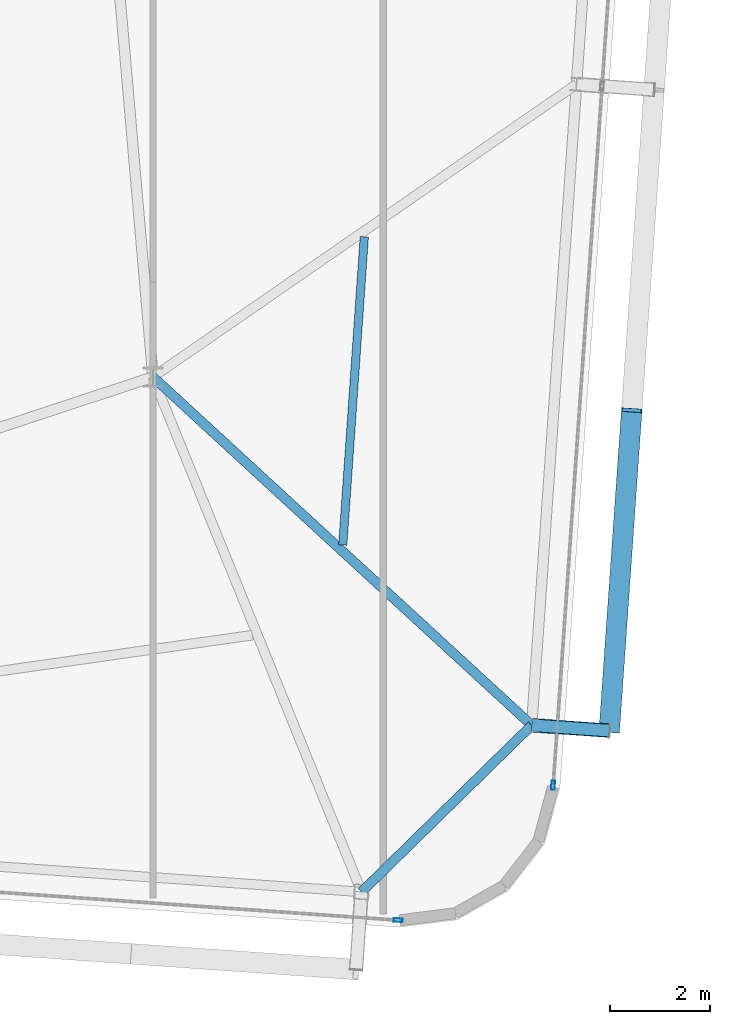
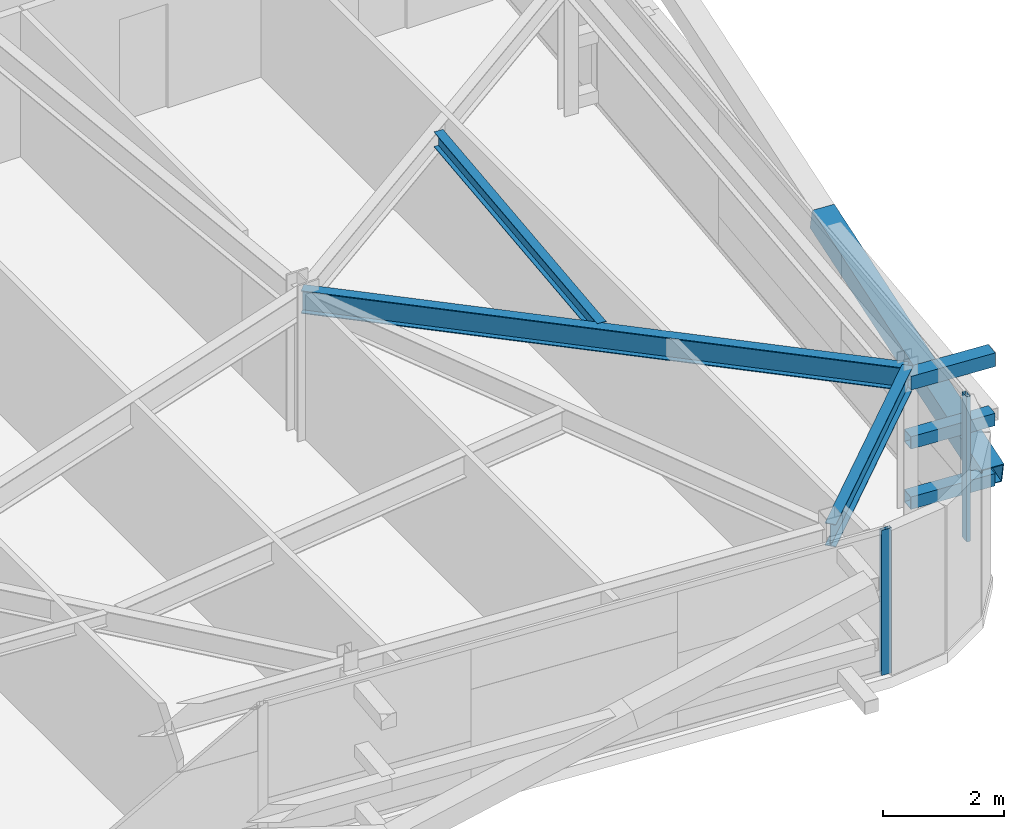
# One storey, part 15 of 39: 6 members, 3 beams, 2 elements without a shape of their own.
"""IFC4 building model written with IfcOpenShell, lengths in metres."""

from ifc_helpers import new_model, si_unit, direction, frame, origin, origin_2d, place, context, subcontext, project, spatial, hollow_rectangle, i_section, extrude, source, transform, mapped, material, layer, layer_set, material_profile, profile_set, type_object, element, aggregate, save


model = new_model("IFC4")

# Units and contexts
model_context = context("Model", 3, precision=1e-05, world=origin(), true_north=direction((0.0, 1.0)))
body_context = subcontext(model_context, "Body", "Model", "MODEL_VIEW")
ifc_project = project(units=[si_unit("LENGTHUNIT", "METRE"), si_unit("AREAUNIT", "SQUARE_METRE"), si_unit("VOLUMEUNIT", "CUBIC_METRE"), si_unit("PLANEANGLEUNIT", "RADIAN"), si_unit("MASSUNIT", "GRAM", prefix="KILO")], contexts=[model_context])

# Site, building, storey
site_placement = place(None, origin())
site = spatial("IfcSite", under=ifc_project, at=site_placement, CompositionType="ELEMENT")
building_placement = place(site_placement, origin())
building = spatial("IfcBuilding", under=site, at=building_placement, Name="Taldren Reach Tower", CompositionType="ELEMENT")
storey_placement = place(building_placement, frame((0.0, 0.0, 158.199951171875)))
storey = spatial("IfcBuildingStorey", under=building, at=storey_placement, Name="L48", CompositionType="ELEMENT", Elevation=158.199951171875)

# Members
ifc_material_1 = material(Name="Steel Gr 450 (C450L0)", Category="steel")
ifc_material_profile_1 = material_profile(ifc_material_1, hollow_rectangle(XDim=0.27490234375, YDim=0.27490234375, WallThickness=0.00927734375, at=origin_2d()), Name="275x275x9.3SHS")
ifc_profile_set_1 = profile_set([ifc_material_profile_1], Name="Steel Gr 450 (C450L0)")
member_type_1 = type_object("IfcMemberType", Name="MB-TIE273", PredefinedType="STRUT", material=ifc_profile_set_1)
shared_shape_1 = source(origin(), body_context, "Body", "SweptSolid", [
    extrude(hollow_rectangle(XDim=0.27490234375, YDim=0.27490234375, WallThickness=0.00927734375, at=origin_2d()), origin(), (0.0, 0.0, 1.0), 1.5498046875),
])
member_1_placement = place(storey_placement, frame((59.54541015625, 5.562744140625, 2.650146484375), z_axis=(0.997573320145, -0.069623781384, 0.0), x_axis=(0.069623781384, 0.997573320145, 0.0)))
element("IfcMember", 1, at=member_1_placement, inside=storey, type_object=member_type_1, Name="Exoskeleton diaphragm tie strut B3-E1 L48", PredefinedType="STRUT", context=body_context, shape_type="MappedRepresentation", body=[
    mapped(shared_shape_1, transform((0.0, 0.0, 0.0), scale=1.0)),
])
ifc_material_2 = material(Name="Steel Gr 350 (C350L0)", Category="steel")
ifc_material_profile_2 = material_profile(ifc_material_2, hollow_rectangle(XDim=0.25, YDim=0.25, WallThickness=0.010009765625, at=origin_2d()), Name="250x250x10.0SHS")
ifc_profile_set_2 = profile_set([ifc_material_profile_2], Name="Steel Gr 350 (C350L0)")
member_type_2 = type_object("IfcMemberType", Name="MB-POST250", PredefinedType="POST", material=ifc_profile_set_2)
shared_shape_2 = source(origin(), body_context, "Body", "SweptSolid", [
    extrude(hollow_rectangle(XDim=0.25, YDim=0.25, WallThickness=0.010009765625, at=origin_2d()), origin(), (0.0, 0.0, 1.0), 1.5498046875),
])
for number, where, z_axis, x_axis, name in (
    (2, (59.54541015625, 5.562744140625, 0.219970703125), (0.997573320145, -0.069623781384, 0.0), (0.069623781384, 0.997573320145, 0.0), "Exoskeleton base diaphragm tie strut B3-E1 L48"),
    (3, (59.54541015625, 5.562744140625, 1.43505859375), (0.997573320145, -0.069623781384, 0.0), (0.069623781384, 0.997573320145, 0.0), "Exoskeleton mid-tier diaphragm tie B3-E1 L48"),
):
    element("IfcMember", number, at=place(storey_placement, frame(where, z_axis=z_axis, x_axis=x_axis)), inside=storey, type_object=member_type_2, Name=name, PredefinedType="POST", context=body_context, shape_type="MappedRepresentation", body=[
        mapped(shared_shape_2, transform((0.0, 0.0, 0.0), scale=1.0)),
    ])

# Beams
ifc_material_3 = material(Name="Steel Gr 350 (350PLUS)", Category="steel")
ifc_material_profile_3 = material_profile(ifc_material_3, i_section(OverallWidth=0.18994140625, OverallDepth=0.4541015625, WebThickness=0.008544921875, FlangeThickness=0.0126953125, at=origin_2d()), Name="460UB67.1")
ifc_profile_set_3 = profile_set([ifc_material_profile_3], Name="Steel Gr 350 (350PLUS)")
beam_type_1 = type_object("IfcBeamType", Name="SP-UB460B", PredefinedType="SPANDREL", material=ifc_profile_set_3)
shared_shape_3 = source(origin(), body_context, "Body", "SweptSolid", [
    extrude(i_section(OverallWidth=0.18994140625, OverallDepth=0.4541015625, WebThickness=0.008544921875, FlangeThickness=0.0126953125, at=origin_2d()), origin(), (0.0, 0.0, 1.0), 4.745849609375),
])
beam_1_placement = place(storey_placement, frame((56.155517578125, 2.2412109375, 2.703125), z_axis=(0.714271982806, 0.699868226581, 0.0), x_axis=(-0.699868226581, 0.714271982806, 0.0)))
element("IfcBeam", 4, at=beam_1_placement, inside=storey, type_object=beam_type_1, Name="Perimeter spandrel B3 S6-E1 L48", PredefinedType="SPANDREL", context=body_context, shape_type="MappedRepresentation", body=[
    mapped(shared_shape_3, transform((0.0, 0.0, 0.0), scale=1.0)),
])
ifc_material_profile_4 = material_profile(ifc_material_3, i_section(OverallWidth=0.19091796875, OverallDepth=0.4599609375, WebThickness=0.010009765625, FlangeThickness=0.01611328125, at=origin_2d()), Name="460UB82.1")
ifc_profile_set_4 = profile_set([ifc_material_profile_4], Name="Steel Gr 350 (350PLUS)")
beam_type_2 = type_object("IfcBeamType", Name="BM-UB460A", PredefinedType="BEAM", material=ifc_profile_set_4)
shared_shape_4 = source(origin(), body_context, "Body", "SweptSolid", [
    extrude(i_section(OverallWidth=0.19091796875, OverallDepth=0.4599609375, WebThickness=0.010009765625, FlangeThickness=0.01611328125, at=origin_2d()), origin(), (0.0, 0.0, 1.0), 10.249755859375),
])
beam_2_placement = place(storey_placement, frame((52.0, 12.5, 2.699951171875), z_axis=(0.736150772628, -0.676817582483, 0.0), x_axis=(0.676817582483, 0.736150772628, 0.0)))
element("IfcBeam", 5, at=beam_2_placement, inside=storey, type_object=beam_type_2, Name="Primary floor girder B3-E1 L48", PredefinedType="BEAM", context=body_context, shape_type="MappedRepresentation", body=[
    mapped(shared_shape_4, transform((0.0, 0.0, 0.0), scale=1.0)),
])
ifc_material_4 = material(Name="Steel Gr 300 (300PLUS, 300 MPa)", Category="steel")
ifc_material_profile_5 = material_profile(ifc_material_4, i_section(OverallWidth=0.166015625, OverallDepth=0.306884765625, WebThickness=0.006591796875, FlangeThickness=0.01171875, at=origin_2d()), Name="310UB46.2")
ifc_profile_set_5 = profile_set([ifc_material_profile_5], Name="Steel Gr 300 (300PLUS, 300 MPa)")
beam_type_3 = type_object("IfcBeamType", Name="JS-UB310", PredefinedType="JOIST", material=ifc_profile_set_5)
shared_shape_5 = source(origin(), body_context, "Body", "SweptSolid", [
    extrude(i_section(OverallWidth=0.166015625, OverallDepth=0.306884765625, WebThickness=0.006591796875, FlangeThickness=0.01171875, at=origin_2d()), origin(), (0.0, 0.0, 1.0), 6.155517578125),
])
beam_3_placement = place(storey_placement, frame((55.78125, 9.1533203125, 2.776611328125), z_axis=(0.069764400024, 0.997563495969, 0.0), x_axis=(-0.997563495969, 0.069764400024, 0.0)))
element("IfcBeam", 6, at=beam_3_placement, inside=storey, type_object=beam_type_3, Name="Secondary floor joist B3 J7 L48", PredefinedType="JOIST", context=body_context, shape_type="MappedRepresentation", body=[
    mapped(shared_shape_5, transform((0.0, 0.0, 0.0), scale=1.0)),
])

# Member
ifc_material_profile_6 = material_profile(ifc_material_1, hollow_rectangle(XDim=0.409912109375, YDim=0.409912109375, WallThickness=0.01611328125, at=origin_2d()), Name="410x410x16.0SHS")
ifc_profile_set_6 = profile_set([ifc_material_profile_6], Name="Steel Gr 450 (C450L0)")
member_type_3 = type_object("IfcMemberType", Name="MB-EXO406", PredefinedType="BRACE", material=ifc_profile_set_6)
shared_shape_6 = source(origin(), body_context, "Body", "SweptSolid", [
    extrude(hollow_rectangle(XDim=0.409912109375, YDim=0.409912109375, WallThickness=0.01611328125, at=origin_2d()), origin(), (0.0, 0.0, 1.0), 6.51416015625),
])
member_2_placement = place(storey_placement, frame((61.091552734375, 5.454833984375, 0.219970703125), z_axis=(0.068547644544, 0.980055169399, 0.186529046964), x_axis=(-0.997562951496, 0.069772185021, 0.0)))
element("IfcMember", 7, at=member_2_placement, inside=storey, type_object=member_type_3, Name="Exoskeleton Diagrid Brace B3-E1 L48", PredefinedType="BRACE", context=body_context, shape_type="MappedRepresentation", body=[
    mapped(shared_shape_6, transform((0.0, 0.0, 0.0), scale=1.0)),
])

# Curtain wall, member
ifc_material_5 = material(Name="Aluminium and Low-E Glass Unitised System", Category="aluminium")
ifc_layer = layer(ifc_material_5, 0.159912109375)
ifc_layer_set = layer_set([ifc_layer], Name="Aluminium and Low-E Glass Unitised System")
curtain_wall_type = type_object("IfcCurtainWallType", Name="CW-SYS-4", PredefinedType="NOTDEFINED", material=ifc_layer_set)
curtain_wall_1_placement = place(storey_placement, origin())
curtain_wall_1 = element("IfcCurtainWall", 8, at=curtain_wall_1_placement, inside=storey, type_object=curtain_wall_type, Name="Unitised curtain wall CW-L48-S", PredefinedType="NOTDEFINED")
ifc_material_6 = material(Name="Anodised Aluminium 6063-T6", Category="aluminium")
ifc_material_profile_7 = material_profile(ifc_material_6, hollow_rectangle(XDim=0.070068359375, YDim=0.179931640625, WallThickness=0.00390625, at=origin_2d()), Name="ALU-180x70x4RHS")
ifc_profile_set_7 = profile_set([ifc_material_profile_7], Name="Anodised Aluminium 6063-T6")
member_type_4 = type_object("IfcMemberType", Name="CW-MUL-180", PredefinedType="MULLION", material=ifc_profile_set_7)
shared_shape_7 = source(origin(), body_context, "Body", "SweptSolid", [
    extrude(hollow_rectangle(XDim=0.070068359375, YDim=0.179931640625, WallThickness=0.00390625, at=origin_2d()), origin(), (0.0, 0.0, 1.0), 2.929931640625),
])
member_3_placement = place(storey_placement, frame((56.883056640625, 1.67919921875, 0.0), z_axis=(0.0, 0.0, 1.0), x_axis=(0.06975651593, 0.99756404731, 0.0)))
member_3 = element("IfcMember", 9, at=member_3_placement, type_object=member_type_4, Name="CW-4 mullion 5", PredefinedType="MULLION", context=body_context, shape_type="MappedRepresentation", body=[
    mapped(shared_shape_7, transform((0.0, 0.0, 0.0), scale=1.0)),
])
aggregate(curtain_wall_1, [member_3])

curtain_wall_2_placement = place(storey_placement, origin())
curtain_wall_2 = element("IfcCurtainWall", 10, at=curtain_wall_2_placement, inside=storey, type_object=curtain_wall_type, Name="Unitised curtain wall CW-L48-E", PredefinedType="NOTDEFINED")
member_4_placement = place(storey_placement, frame((59.972900390625, 4.365234375, 0.0), z_axis=(0.0, 0.0, 1.0), x_axis=(-0.997564052812, 0.069756437251, 0.0)))
member_4 = element("IfcMember", 11, at=member_4_placement, type_object=member_type_4, Name="CW-4 mullion 1", PredefinedType="MULLION", context=body_context, shape_type="MappedRepresentation", body=[
    mapped(shared_shape_7, transform((0.0, 0.0, 0.0), scale=1.0)),
])
aggregate(curtain_wall_2, [member_4])

save(model, "model.ifc")
